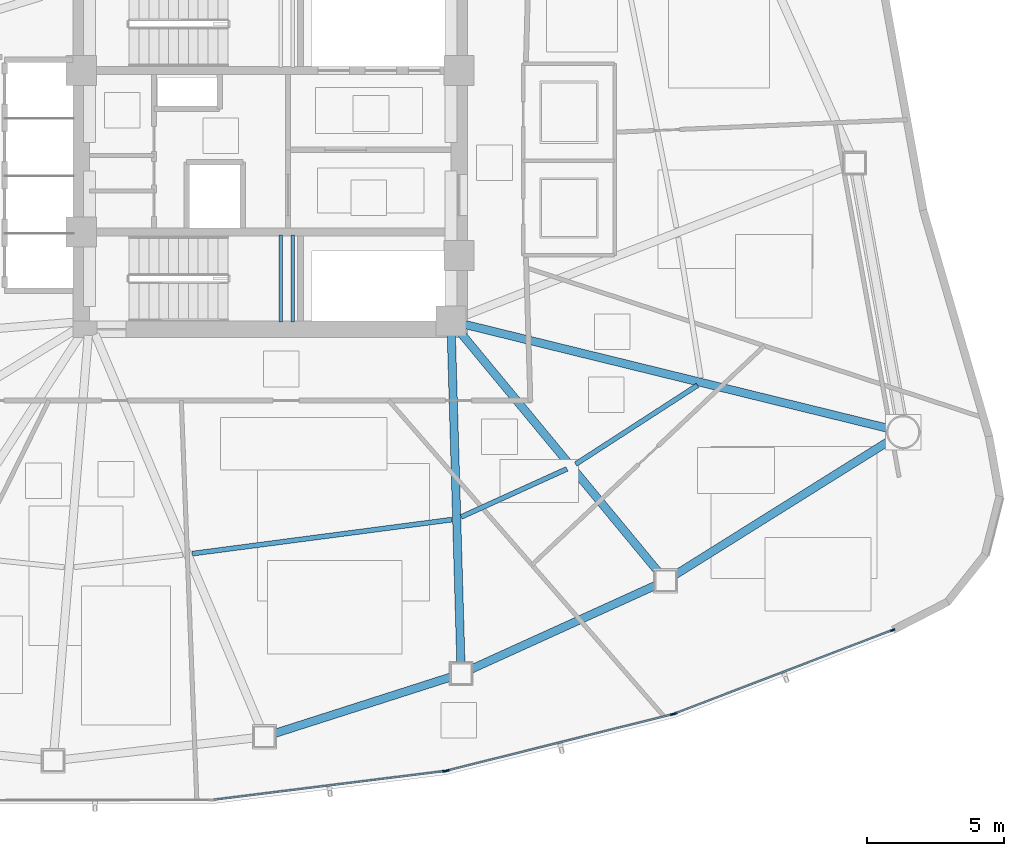
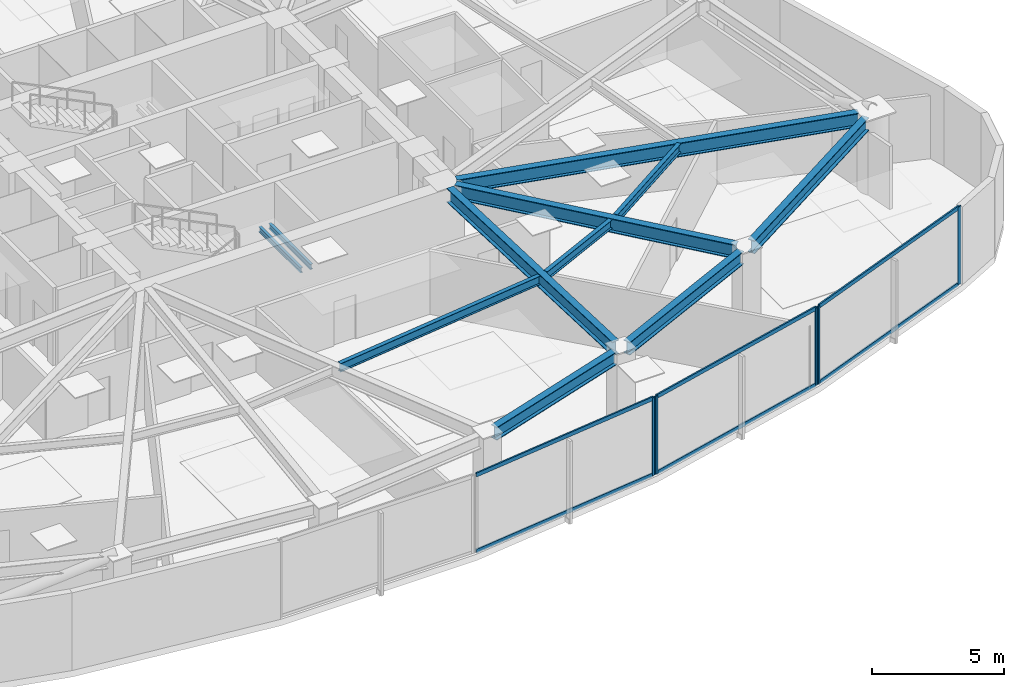
# One storey, part 5 of 17: 11 beams, 11 members, 3 elements without a shape of their own.
"""IFC4 building model written with IfcOpenShell, lengths in metres."""

from ifc_helpers import new_model, si_unit, direction, frame, origin, origin_2d, place, context, subcontext, project, spatial, hollow_rectangle, i_section, extrude, source, transform, mapped, material, layer, layer_set, material_profile, profile_set, type_object, type_shapes, element, aggregate, save


model = new_model("IFC4")

# Units and contexts
model_context = context("Model", 3, precision=1e-05, world=origin(), true_north=direction((0.0, 1.0)))
body_context = subcontext(model_context, "Body", "Model", "MODEL_VIEW")
ifc_project = project(units=[si_unit("LENGTHUNIT", "METRE"), si_unit("AREAUNIT", "SQUARE_METRE"), si_unit("VOLUMEUNIT", "CUBIC_METRE"), si_unit("PLANEANGLEUNIT", "RADIAN"), si_unit("MASSUNIT", "GRAM", prefix="KILO")], contexts=[model_context])

# Site, building, storey
site_placement = place(None, origin())
site = spatial("IfcSite", under=ifc_project, at=site_placement, CompositionType="ELEMENT")
building_placement = place(site_placement, origin())
building = spatial("IfcBuilding", under=site, at=building_placement, Name="Tavelor Broadcast Tower", CompositionType="ELEMENT")
storey_placement = place(building_placement, frame((0.0, 0.0, 39.300048828125)))
storey = spatial("IfcBuildingStorey", under=building, at=storey_placement, Name="L08", CompositionType="ELEMENT", Elevation=39.300048828125)

# Beams
ifc_material_1 = material(Name="Steel S355", Category="steel")
ifc_material_profile_1 = material_profile(ifc_material_1, i_section(OverallWidth=0.179931640625, OverallDepth=0.39990234375, WebThickness=0.008544921875, FlangeThickness=0.013427734375, at=origin_2d()), Name="IPE 400")
ifc_profile_set_1 = profile_set([ifc_material_profile_1], Name="Steel S355")
beam_type_1 = type_object("IfcBeamType", Name="Composite Floor Joist T1 IPE 400", PredefinedType="JOIST", material=ifc_profile_set_1)
beam_1_placement = place(storey_placement, frame((47.16259765625, 30.3056640625, 3.39990234375), z_axis=(0.991514230948, 0.129998191635, 0.0), x_axis=(-0.129998191635, 0.991514230948, 0.0)))
element("IfcBeam", 1, at=beam_1_placement, inside=storey, type_object=beam_type_1, Name="L08 Secondary Composite Floor Joist 10", PredefinedType="JOIST", context=body_context, shape_type="SweptSolid", body=[
    extrude(i_section(OverallWidth=0.179931640625, OverallDepth=0.39990234375, WebThickness=0.008544921875, FlangeThickness=0.013427734375, at=origin_2d()), origin(), (0.0, 0.0, 1.0), 9.5498046875),
])
beam_2_placement = place(storey_placement, frame((56.9755859375, 31.6455078125, 3.39990234375), z_axis=(0.910480737696, 0.413551479607, 0.0), x_axis=(-0.413551479607, 0.910480737696, 0.0)))
element("IfcBeam", 2, at=beam_2_placement, inside=storey, type_object=beam_type_1, Name="L08 Secondary Composite Floor Joist 11", PredefinedType="JOIST", context=body_context, shape_type="SweptSolid", body=[
    extrude(i_section(OverallWidth=0.179931640625, OverallDepth=0.39990234375, WebThickness=0.008544921875, FlangeThickness=0.013427734375, at=origin_2d()), origin(), (0.0, 0.0, 1.0), 4.242919921875),
])
beam_3_placement = place(storey_placement, frame((61.1552734375, 33.573486328125, 3.39990234375), z_axis=(0.839582514508, 0.543232179949, 0.0), x_axis=(-0.543232179949, 0.839582514508, 0.0)))
element("IfcBeam", 3, at=beam_3_placement, inside=storey, type_object=beam_type_1, Name="L08 Secondary Composite Floor Joist 12", PredefinedType="JOIST", context=body_context, shape_type="SweptSolid", body=[
    extrude(i_section(OverallWidth=0.179931640625, OverallDepth=0.39990234375, WebThickness=0.008544921875, FlangeThickness=0.013427734375, at=origin_2d()), origin(), (0.0, 0.0, 1.0), 5.300537109375),
])
ifc_material_profile_2 = material_profile(ifc_material_1, i_section(OverallWidth=0.300048828125, OverallDepth=0.60009765625, WebThickness=0.015380859375, FlangeThickness=0.030029296875, at=origin_2d()), Name="HEB 600")
ifc_profile_set_2 = profile_set([ifc_material_profile_2], Name="Steel S355")
beam_type_2 = type_object("IfcBeamType", Name="Perimeter Spandrel Beam T1 HEB 600", PredefinedType="SPANDREL", material=ifc_profile_set_2)
beam_4_placement = place(storey_placement, frame((50.15234375, 23.735107421875, 3.300048828125), z_axis=(0.952305764648, 0.305145425362, 0.0), x_axis=(-0.305145425362, 0.952305764648, 0.0)))
element("IfcBeam", 4, at=beam_4_placement, inside=storey, type_object=beam_type_2, Name="L08 Framed-Tube Ring Spandrel 10", PredefinedType="SPANDREL", context=body_context, shape_type="SweptSolid", body=[
    extrude(i_section(OverallWidth=0.300048828125, OverallDepth=0.60009765625, WebThickness=0.015380859375, FlangeThickness=0.030029296875, at=origin_2d()), origin(), (0.0, 0.0, 1.0), 6.78076171875),
])
beam_5_placement = place(storey_placement, frame((57.324951171875, 26.080322265625, 3.300048828125), z_axis=(0.910424944341, 0.413674293039, 0.0), x_axis=(-0.413674293039, 0.910424944341, 0.0)))
element("IfcBeam", 5, at=beam_5_placement, inside=storey, type_object=beam_type_2, Name="L08 Framed-Tube Ring Spandrel 11", PredefinedType="SPANDREL", context=body_context, shape_type="SweptSolid", body=[
    extrude(i_section(OverallWidth=0.300048828125, OverallDepth=0.60009765625, WebThickness=0.015380859375, FlangeThickness=0.030029296875, at=origin_2d()), origin(), (0.0, 0.0, 1.0), 7.43505859375),
])
beam_6_placement = place(storey_placement, frame((64.76904296875, 29.518798828125, 3.300048828125), z_axis=(0.847667977469, 0.530527096361, 0.0), x_axis=(-0.530527096361, 0.847667977469, 0.0)))
element("IfcBeam", 6, at=beam_6_placement, inside=storey, type_object=beam_type_2, Name="L08 Framed-Tube Ring Spandrel 12", PredefinedType="SPANDREL", context=body_context, shape_type="SweptSolid", body=[
    extrude(i_section(OverallWidth=0.300048828125, OverallDepth=0.60009765625, WebThickness=0.015380859375, FlangeThickness=0.030029296875, at=origin_2d()), origin(), (0.0, 0.0, 1.0), 9.263916015625),
])
ifc_material_profile_3 = material_profile(ifc_material_1, i_section(OverallWidth=0.300048828125, OverallDepth=0.64990234375, WebThickness=0.01611328125, FlangeThickness=0.031005859375, at=origin_2d()), Name="HEB 650")
ifc_profile_set_3 = profile_set([ifc_material_profile_3], Name="Steel S355")
beam_type_3 = type_object("IfcBeamType", Name="Radial Floor Girder T1 HEB 650", PredefinedType="BEAM", material=ifc_profile_set_3)
beam_7_placement = place(storey_placement, frame((56.615478515625, 38.272216796875, 3.27490234375), z_axis=(0.02912098859, -0.999575894079, 0.0), x_axis=(0.999575894079, 0.02912098859, 0.0)))
element("IfcBeam", 7, at=beam_7_placement, inside=storey, type_object=beam_type_3, Name="L08 Radial Primary Floor Girder 11", PredefinedType="BEAM", context=body_context, shape_type="SweptSolid", body=[
    extrude(i_section(OverallWidth=0.300048828125, OverallDepth=0.64990234375, WebThickness=0.01611328125, FlangeThickness=0.031005859375, at=origin_2d()), origin(), (0.0, 0.0, 1.0), 11.971923828125),
])
beam_8_placement = place(storey_placement, frame((56.9365234375, 38.39306640625, 3.27490234375), z_axis=(0.63726338108, -0.770646081632, 0.0), x_axis=(0.770646081632, 0.63726338108, 0.0)))
element("IfcBeam", 8, at=beam_8_placement, inside=storey, type_object=beam_type_3, Name="L08 Radial Primary Floor Girder 12", PredefinedType="BEAM", context=body_context, shape_type="SweptSolid", body=[
    extrude(i_section(OverallWidth=0.300048828125, OverallDepth=0.64990234375, WebThickness=0.01611328125, FlangeThickness=0.031005859375, at=origin_2d()), origin(), (0.0, 0.0, 1.0), 11.39599609375),
])
beam_9_placement = place(storey_placement, frame((57.11279296875, 38.674072265625, 3.27490234375), z_axis=(0.971150402203, -0.23846780978, 0.0), x_axis=(0.23846780978, 0.971150402203, 0.0)))
element("IfcBeam", 9, at=beam_9_placement, inside=storey, type_object=beam_type_3, Name="L08 Radial Primary Floor Girder 13", PredefinedType="BEAM", context=body_context, shape_type="SweptSolid", body=[
    extrude(i_section(OverallWidth=0.300048828125, OverallDepth=0.64990234375, WebThickness=0.01611328125, FlangeThickness=0.031005859375, at=origin_2d()), origin(), (0.0, 0.0, 1.0), 15.895263671875),
])
ifc_material_profile_4 = material_profile(ifc_material_1, i_section(OverallWidth=0.1201171875, OverallDepth=0.239990234375, WebThickness=0.006103515625, FlangeThickness=0.009765625, at=origin_2d()), Name="IPE 240")
ifc_profile_set_4 = profile_set([ifc_material_profile_4], Name="Steel S355")
beam_type_4 = type_object("IfcBeamType", Name="Stairwell Landing Support Trimmer Beam IPE240", PredefinedType="BEAM", material=ifc_profile_set_4)
for number, where, z_axis, x_axis, name in (
    (10, (50.385009765625, 38.760009765625, 1.635009765625), (0.0, 1.0, 0.0), (-1.0, 0.0, 0.0), "L08 Stair Landing Support Beam 255"),
    (11, (50.824951171875, 38.760009765625, 1.635009765625), (0.0, 1.0, 0.0), (-1.0, 0.0, 0.0), "L08 Stair Landing Support Beam 256"),
):
    element("IfcBeam", number, at=place(storey_placement, frame(where, z_axis=z_axis, x_axis=x_axis)), inside=storey, type_object=beam_type_4, Name=name, PredefinedType="BEAM", context=body_context, shape_type="SweptSolid", body=[
        extrude(i_section(OverallWidth=0.1201171875, OverallDepth=0.239990234375, WebThickness=0.006103515625, FlangeThickness=0.009765625, at=origin_2d()), origin(), (0.0, 0.0, 1.0), 3.179931640625),
    ])

# Curtain wall, member
ifc_material_2 = material(Name="Architectural Anodized Aluminium", Category="aluminium")
ifc_layer = layer(ifc_material_2, 0.179931640625)
ifc_layer_set = layer_set([ifc_layer], Name="Architectural Anodized Aluminium")
curtain_wall_type = type_object("IfcCurtainWallType", Name="Tower Low-Zone Unitised Curtain Wall CW02", PredefinedType="NOTDEFINED", material=ifc_layer_set)
curtain_wall_1_placement = place(storey_placement, origin())
curtain_wall_1 = element("IfcCurtainWall", 12, at=curtain_wall_1_placement, inside=storey, type_object=curtain_wall_type, Name="L08 Curtain Wall CW02 Run 54", PredefinedType="NOTDEFINED")
ifc_material_profile_5 = material_profile(ifc_material_2, hollow_rectangle(XDim=0.06494140625, YDim=0.179931640625, WallThickness=0.02197265625, at=origin_2d()), Name="RHS 65x180x22")
ifc_profile_set_5 = profile_set([ifc_material_profile_5], Name="Architectural Anodized Aluminium")
member_type_1 = type_object("IfcMemberType", Name="CW02 Extruded Aluminium Mullion 65x180", PredefinedType="MULLION", material=ifc_profile_set_5)
shared_shape_1 = source(origin(), body_context, "Body", "SweptSolid", [
    extrude(hollow_rectangle(XDim=0.06494140625, YDim=0.179931640625, WallThickness=0.02197265625, at=origin_2d()), origin(), (0.0, 0.0, 1.0), 3.599853515625),
])
type_shapes(member_type_1, [shared_shape_1])
member_1_placement = place(storey_placement, frame((56.362060546875, 22.3623046875, 0.0), z_axis=(0.0, 0.0, 1.0), x_axis=(-0.12318004223, 0.992384339455, 0.0)))
member_1 = element("IfcMember", 13, at=member_1_placement, type_object=member_type_1, Name="CW02 mullion 2", PredefinedType="MULLION", context=body_context, shape_type="MappedRepresentation", body=[
    mapped(shared_shape_1, transform((0.0, 0.0, 0.0), scale=1.0)),
])

# Curtain wall, members
curtain_wall_2_placement = place(storey_placement, origin())
curtain_wall_2 = element("IfcCurtainWall", 14, at=curtain_wall_2_placement, inside=storey, type_object=curtain_wall_type, Name="L08 Curtain Wall CW02 Run 55", PredefinedType="NOTDEFINED")
member_2_placement = place(storey_placement, frame((56.455322265625, 22.379638671875, 0.0), z_axis=(0.0, 0.0, 1.0), x_axis=(-0.242348578061, 0.970189242731, 0.0)))
member_2 = element("IfcMember", 15, at=member_2_placement, type_object=member_type_1, Name="CW02 mullion 1", PredefinedType="MULLION", context=body_context, shape_type="MappedRepresentation", body=[
    mapped(shared_shape_1, transform((0.0, 0.0, 0.0), scale=1.0)),
])
member_3_placement = place(storey_placement, frame((64.69140625, 24.43701171875, 0.0), z_axis=(0.0, 0.0, 1.0), x_axis=(-0.242348578061, 0.970189242731, 0.0)))
member_3 = element("IfcMember", 16, at=member_3_placement, type_object=member_type_1, Name="CW02 mullion 2", PredefinedType="MULLION", context=body_context, shape_type="MappedRepresentation", body=[
    mapped(shared_shape_1, transform((0.0, 0.0, 0.0), scale=1.0)),
])

curtain_wall_3_placement = place(storey_placement, origin())
curtain_wall_3 = element("IfcCurtainWall", 17, at=curtain_wall_3_placement, inside=storey, type_object=curtain_wall_type, Name="L08 Curtain Wall CW02 Run 56", PredefinedType="NOTDEFINED")
member_4_placement = place(storey_placement, frame((64.78173828125, 24.46533203125, 0.0), z_axis=(0.0, 0.0, 1.0), x_axis=(-0.357985861008, 0.933727006848, 0.0)))
member_4 = element("IfcMember", 18, at=member_4_placement, type_object=member_type_1, Name="CW02 mullion 1", PredefinedType="MULLION", context=body_context, shape_type="MappedRepresentation", body=[
    mapped(shared_shape_1, transform((0.0, 0.0, 0.0), scale=1.0)),
])
member_5_placement = place(storey_placement, frame((72.723388671875, 27.51025390625, 0.0), z_axis=(0.0, 0.0, 1.0), x_axis=(-0.357985861008, 0.933727006848, 0.0)))
member_5 = element("IfcMember", 19, at=member_5_placement, type_object=member_type_1, Name="CW02 mullion 2", PredefinedType="MULLION", context=body_context, shape_type="MappedRepresentation", body=[
    mapped(shared_shape_1, transform((0.0, 0.0, 0.0), scale=1.0)),
])

# Member
ifc_material_profile_6 = material_profile(ifc_material_2, hollow_rectangle(XDim=0.06494140625, YDim=0.179931640625, WallThickness=0.02197265625, at=origin_2d()), Name="RHS 65x180x22")
ifc_profile_set_6 = profile_set([ifc_material_profile_6], Name="Architectural Anodized Aluminium")
member_type_2 = type_object("IfcMemberType", Name="CW02 Extruded Aluminium Transom 65x180", PredefinedType="USERDEFINED", material=ifc_profile_set_6)
shared_shape_2 = source(origin(), body_context, "Body", "SweptSolid", [
    extrude(hollow_rectangle(XDim=0.06494140625, YDim=0.179931640625, WallThickness=0.02197265625, at=origin_2d()), origin(), (0.0, 0.0, 1.0), 8.42431640625),
])
member_6_placement = place(storey_placement, frame((47.9697265625, 21.320556640625, 0.032470703125), z_axis=(0.992385841369, 0.123167941647, 0.0), x_axis=(-0.123167941647, 0.992385841369, 0.0)))
member_6 = element("IfcMember", 20, at=member_6_placement, type_object=member_type_2, Name="CW02 transom 1.1", ObjectType="TRANSOM", PredefinedType="USERDEFINED", context=body_context, shape_type="MappedRepresentation", body=[
    mapped(shared_shape_2, transform((0.0, 0.0, 0.0), scale=1.0)),
])

member_7_placement = place(storey_placement, frame((47.9697265625, 21.320556640625, 3.5673828125), z_axis=(0.992385841369, 0.123167941647, 0.0), x_axis=(-0.123167941647, 0.992385841369, 0.0)))
member_7 = element("IfcMember", 21, at=member_7_placement, type_object=member_type_2, Name="CW02 transom 1.2", ObjectType="TRANSOM", PredefinedType="USERDEFINED", context=body_context, shape_type="MappedRepresentation", body=[
    mapped(shared_shape_2, transform((0.0, 0.0, 0.0), scale=1.0)),
])

aggregate(curtain_wall_1, [member_1, member_6, member_7])

member_8_placement = place(storey_placement, frame((56.48681640625, 22.387451171875, 0.032470703125), z_axis=(0.970191917911, 0.242337868315, 0.0), x_axis=(-0.242337868315, 0.970191917911, 0.0)))
member_8 = element("IfcMember", 22, at=member_8_placement, type_object=member_type_2, Name="CW02 transom 1.1", ObjectType="TRANSOM", PredefinedType="USERDEFINED", context=body_context, shape_type="MappedRepresentation", body=[
    mapped(shared_shape_2, transform((0.0, 0.0, 0.0), scale=1.0)),
])

member_9_placement = place(storey_placement, frame((56.48681640625, 22.387451171875, 3.5673828125), z_axis=(0.970191917911, 0.242337868315, 0.0), x_axis=(-0.242337868315, 0.970191917911, 0.0)))
member_9 = element("IfcMember", 23, at=member_9_placement, type_object=member_type_2, Name="CW02 transom 1.2", ObjectType="TRANSOM", PredefinedType="USERDEFINED", context=body_context, shape_type="MappedRepresentation", body=[
    mapped(shared_shape_2, transform((0.0, 0.0, 0.0), scale=1.0)),
])

aggregate(curtain_wall_2, [member_2, member_3, member_8, member_9])

shared_shape_3 = source(origin(), body_context, "Body", "SweptSolid", [
    extrude(hollow_rectangle(XDim=0.06494140625, YDim=0.179931640625, WallThickness=0.02197265625, at=origin_2d()), origin(), (0.0, 0.0, 1.0), 8.440185546875),
])
type_shapes(member_type_2, [shared_shape_2, shared_shape_3])
member_10_placement = place(storey_placement, frame((64.812255859375, 24.47705078125, 0.032470703125), z_axis=(0.933726780659, 0.357986450974, 0.0), x_axis=(-0.357986450974, 0.933726780659, 0.0)))
member_10 = element("IfcMember", 24, at=member_10_placement, type_object=member_type_2, Name="CW02 transom 1.1", ObjectType="TRANSOM", PredefinedType="USERDEFINED", context=body_context, shape_type="MappedRepresentation", body=[
    mapped(shared_shape_3, transform((0.0, 0.0, 0.0), scale=1.0)),
])

member_11_placement = place(storey_placement, frame((64.812255859375, 24.47705078125, 3.5673828125), z_axis=(0.933726780659, 0.357986450974, 0.0), x_axis=(-0.357986450974, 0.933726780659, 0.0)))
member_11 = element("IfcMember", 25, at=member_11_placement, type_object=member_type_2, Name="CW02 transom 1.2", ObjectType="TRANSOM", PredefinedType="USERDEFINED", context=body_context, shape_type="MappedRepresentation", body=[
    mapped(shared_shape_3, transform((0.0, 0.0, 0.0), scale=1.0)),
])

aggregate(curtain_wall_3, [member_4, member_5, member_10, member_11])

save(model, "model.ifc")
